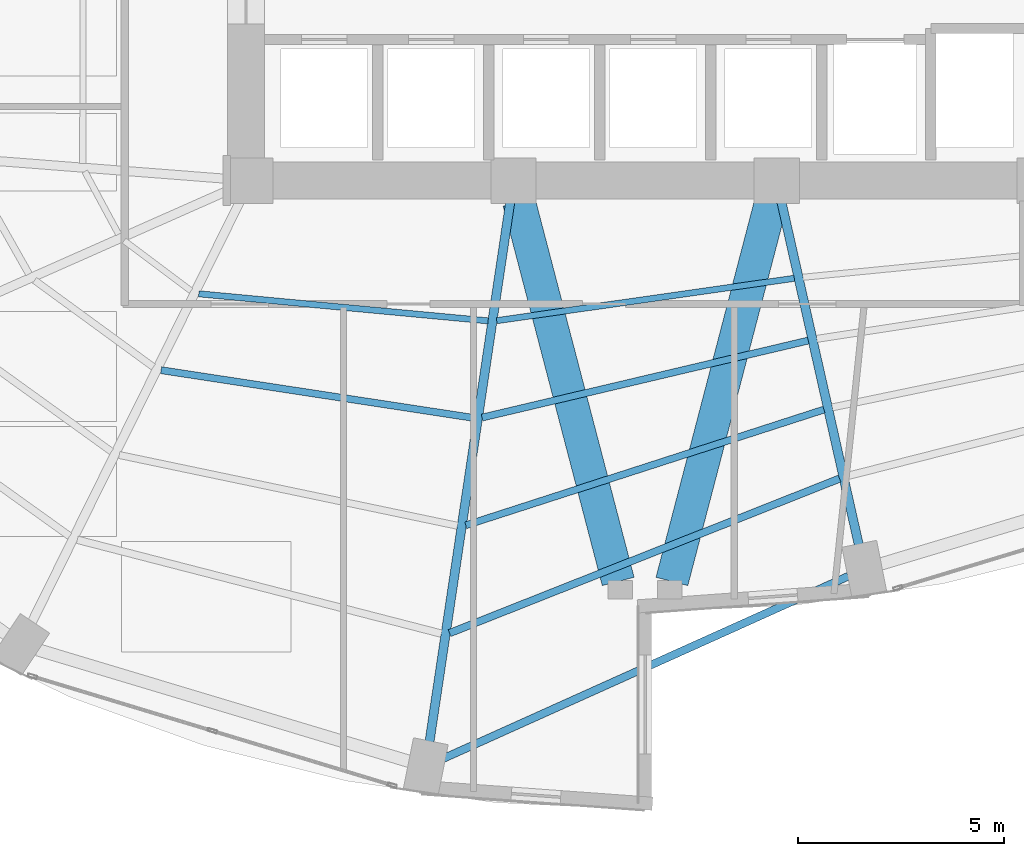
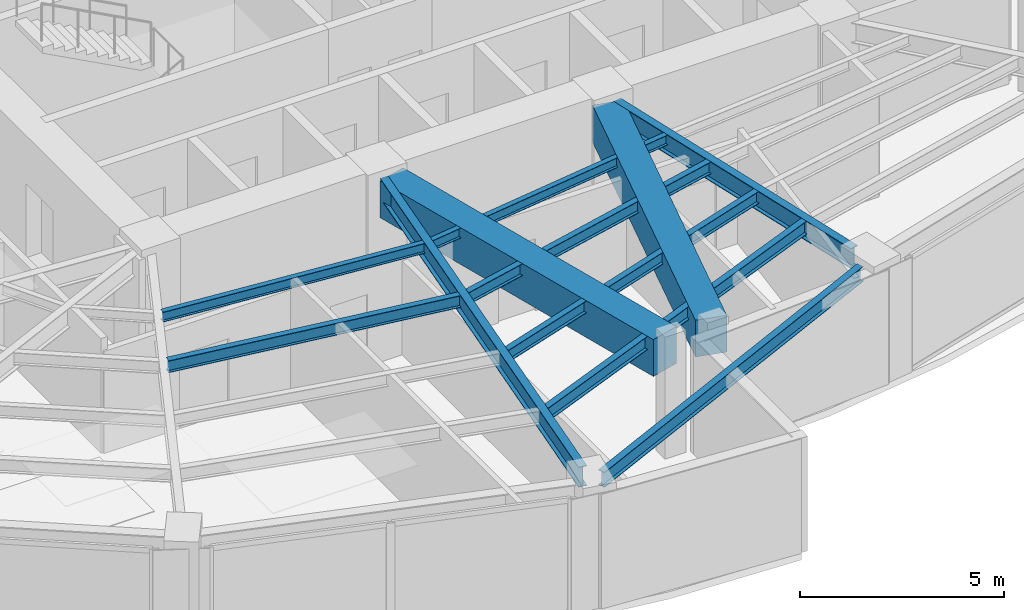
# One storey, part 6 of 24: 11 beams.
"""IFC4 building model written with IfcOpenShell, lengths in metres."""

from ifc_helpers import new_model, si_unit, direction, frame, origin, origin_2d, place, context, subcontext, project, spatial, rectangle, i_section, extrude, material, material_profile, profile_set, type_object, element, save


model = new_model("IFC4")

# Units and contexts
model_context = context("Model", 3, precision=1e-05, world=origin(), true_north=direction((0.0, 1.0)))
body_context = subcontext(model_context, "Body", "Model", "MODEL_VIEW")
ifc_project = project(units=[si_unit("LENGTHUNIT", "METRE"), si_unit("AREAUNIT", "SQUARE_METRE"), si_unit("VOLUMEUNIT", "CUBIC_METRE"), si_unit("PLANEANGLEUNIT", "RADIAN"), si_unit("MASSUNIT", "GRAM", prefix="KILO")], contexts=[model_context])

# Site, building, storey
site_placement = place(None, origin())
site = spatial("IfcSite", under=ifc_project, at=site_placement, CompositionType="ELEMENT")
building_placement = place(site_placement, origin())
building = spatial("IfcBuilding", under=site, at=building_placement, Name="Lazwardi Medical Tower", CompositionType="ELEMENT")
storey_placement = place(building_placement, frame((0.0, 0.0, 61.679931640625)))
storey = spatial("IfcBuildingStorey", under=building, at=storey_placement, Name="L15", CompositionType="ELEMENT", Elevation=61.679931640625)

# Beams
ifc_material_1 = material(Name="Concrete C70/85", Category="concrete")
ifc_material_profile_1 = material_profile(ifc_material_1, rectangle(XDim=0.800048828125, YDim=1.10009765625, at=origin_2d()), Name="RC 800x1100")
ifc_profile_set_1 = profile_set([ifc_material_profile_1], Name="Concrete C70/85")
beam_type_1 = type_object("IfcBeamType", Name="BM-CB-RC1", PredefinedType="LINTEL", material=ifc_profile_set_1)
for number, where, z_axis, x_axis, name in (
    (1, (32.935302734375, 19.88232421875, 2.878173828125), (0.252819877511, -0.967513364009, 0.0), (0.967513364009, 0.252819877511, 0.0), "Core coupling lintel CB-01 PL3 L15"),
    (2, (39.064697265625, 19.88232421875, 2.878173828125), (-0.252819877511, -0.967513364009, 0.0), (0.967513364009, -0.252819877511, 0.0), "Core coupling lintel CB-01 PL4 L15"),
):
    element("IfcBeam", number, at=place(storey_placement, frame(where, z_axis=z_axis, x_axis=x_axis)), inside=storey, type_object=beam_type_1, Name=name, PredefinedType="LINTEL", context=body_context, shape_type="SweptSolid", body=[
        extrude(rectangle(XDim=0.800048828125, YDim=1.10009765625, at=origin_2d()), origin(), (0.0, 0.0, 1.0), 9.538818359375),
    ])
ifc_material_2 = material(Name="Steel S355", Category="steel")
ifc_material_profile_2 = material_profile(ifc_material_2, i_section(OverallWidth=0.219970703125, OverallDepth=0.60009765625, WebThickness=0.011962890625, FlangeThickness=0.01904296875, at=origin_2d()), Name="IPE 600")
ifc_profile_set_2 = profile_set([ifc_material_profile_2], Name="Steel S355")
beam_type_2 = type_object("IfcBeamType", Name="BM-RG-W1", PredefinedType="BEAM", material=ifc_profile_set_2)
beam_1_placement = place(storey_placement, frame((41.203125, 11.521728515625, 3.128173828125), z_axis=(-0.22010079219, 0.975477135189, 0.0), x_axis=(-0.975477135189, -0.22010079219, 0.0)))
element("IfcBeam", 3, at=beam_1_placement, inside=storey, type_object=beam_type_2, Name="Radial girder RG-02 R01 L15", PredefinedType="BEAM", context=body_context, shape_type="SweptSolid", body=[
    extrude(i_section(OverallWidth=0.219970703125, OverallDepth=0.60009765625, WebThickness=0.011962890625, FlangeThickness=0.01904296875, at=origin_2d()), origin(), (0.0, 0.0, 1.0), 8.56640625),
])
beam_2_placement = place(storey_placement, frame((30.7548828125, 6.7294921875, 3.128173828125), z_axis=(0.147944218183, 0.98899570692, 0.0), x_axis=(-0.98899570692, 0.147944218183, 0.0)))
element("IfcBeam", 4, at=beam_2_placement, inside=storey, type_object=beam_type_2, Name="Radial girder RG-02 R16 L15", PredefinedType="BEAM", context=body_context, shape_type="SweptSolid", body=[
    extrude(i_section(OverallWidth=0.219970703125, OverallDepth=0.60009765625, WebThickness=0.011962890625, FlangeThickness=0.01904296875, at=origin_2d()), origin(), (0.0, 0.0, 1.0), 13.28759765625),
])
ifc_material_profile_3 = material_profile(ifc_material_2, i_section(OverallWidth=0.179931640625, OverallDepth=0.39990234375, WebThickness=0.008544921875, FlangeThickness=0.013427734375, at=origin_2d()), Name="IPE 400")
ifc_profile_set_3 = profile_set([ifc_material_profile_3], Name="Steel S355")
beam_type_3 = type_object("IfcBeamType", Name="BM-SJ-01", PredefinedType="JOIST", material=ifc_profile_set_3)
beam_3_placement = place(storey_placement, frame((31.245849609375, 9.396484375, 3.22802734375), z_axis=(0.929663713752, 0.368409255222, 0.0), x_axis=(-0.368409255222, 0.929663713752, 0.0)))
element("IfcBeam", 5, at=beam_3_placement, inside=storey, type_object=beam_type_3, Name="Secondary joist SJ-01 R1 B16 L15", PredefinedType="JOIST", context=body_context, shape_type="SweptSolid", body=[
    extrude(i_section(OverallWidth=0.179931640625, OverallDepth=0.39990234375, WebThickness=0.008544921875, FlangeThickness=0.013427734375, at=origin_2d()), origin(), (0.0, 0.0, 1.0), 10.2001953125),
])
ifc_material_profile_4 = material_profile(ifc_material_2, i_section(OverallWidth=0.169921875, OverallDepth=0.360107421875, WebThickness=0.008056640625, FlangeThickness=0.0126953125, at=origin_2d()), Name="IPE 360")
ifc_profile_set_4 = profile_set([ifc_material_profile_4], Name="Steel S355")
beam_type_4 = type_object("IfcBeamType", Name="BM-SJ-02", PredefinedType="JOIST", material=ifc_profile_set_4)
beam_4_placement = place(storey_placement, frame((31.64111328125, 12.018310546875, 3.248046875), z_axis=(0.951558895485, 0.307466532199, 0.0), x_axis=(-0.307466532199, 0.951558895485, 0.0)))
element("IfcBeam", 6, at=beam_4_placement, inside=storey, type_object=beam_type_4, Name="Secondary joist SJ-02 R2 B16 L15", PredefinedType="JOIST", context=body_context, shape_type="SweptSolid", body=[
    extrude(i_section(OverallWidth=0.169921875, OverallDepth=0.360107421875, WebThickness=0.008056640625, FlangeThickness=0.0126953125, at=origin_2d()), origin(), (0.0, 0.0, 1.0), 9.1513671875),
])
beam_5_placement = place(storey_placement, frame((24.23193359375, 15.790771484375, 3.248046875), z_axis=(0.988535611365, -0.150987897074, 0.0), x_axis=(0.150987897074, 0.988535611365, 0.0)))
element("IfcBeam", 7, at=beam_5_placement, inside=storey, type_object=beam_type_4, Name="Secondary joist SJ-02 R3 B15 L15", PredefinedType="JOIST", context=body_context, shape_type="SweptSolid", body=[
    extrude(i_section(OverallWidth=0.169921875, OverallDepth=0.360107421875, WebThickness=0.008056640625, FlangeThickness=0.0126953125, at=origin_2d()), origin(), (0.0, 0.0, 1.0), 7.68701171875),
])
beam_6_placement = place(storey_placement, frame((32.03662109375, 14.638427734375, 3.248046875), z_axis=(0.973240904247, 0.229787167397, 0.0), x_axis=(-0.229787167397, 0.973240904247, 0.0)))
element("IfcBeam", 8, at=beam_6_placement, inside=storey, type_object=beam_type_4, Name="Secondary joist SJ-02 R3 B16 L15", PredefinedType="JOIST", context=body_context, shape_type="SweptSolid", body=[
    extrude(i_section(OverallWidth=0.169921875, OverallDepth=0.360107421875, WebThickness=0.008056640625, FlangeThickness=0.0126953125, at=origin_2d()), origin(), (0.0, 0.0, 1.0), 8.151123046875),
])
ifc_material_profile_5 = material_profile(ifc_material_2, i_section(OverallWidth=0.14990234375, OverallDepth=0.300048828125, WebThickness=0.007080078125, FlangeThickness=0.0107421875, at=origin_2d()), Name="IPE 300")
ifc_profile_set_5 = profile_set([ifc_material_profile_5], Name="Steel S355")
beam_type_5 = type_object("IfcBeamType", Name="BM-SJ-03", PredefinedType="JOIST", material=ifc_profile_set_5)
beam_7_placement = place(storey_placement, frame((25.148193359375, 17.64794921875, 3.278076171875), z_axis=(0.995649263748, -0.093180167407, 0.0), x_axis=(0.093180167407, 0.995649263748, 0.0)))
element("IfcBeam", 9, at=beam_7_placement, inside=storey, type_object=beam_type_5, Name="Secondary joist SJ-03 R4 B15 L15", PredefinedType="JOIST", context=body_context, shape_type="SweptSolid", body=[
    extrude(i_section(OverallWidth=0.14990234375, OverallDepth=0.300048828125, WebThickness=0.007080078125, FlangeThickness=0.0107421875, at=origin_2d()), origin(), (0.0, 0.0, 1.0), 7.06640625),
])
beam_8_placement = place(storey_placement, frame((32.392333984375, 16.99462890625, 3.278076171875), z_axis=(0.99001552228, 0.140958382672, 0.0), x_axis=(-0.140958382672, 0.99001552228, 0.0)))
element("IfcBeam", 10, at=beam_8_placement, inside=storey, type_object=beam_type_5, Name="Secondary joist SJ-03 R4 B16 L15", PredefinedType="JOIST", context=body_context, shape_type="SweptSolid", body=[
    extrude(i_section(OverallWidth=0.14990234375, OverallDepth=0.300048828125, WebThickness=0.007080078125, FlangeThickness=0.0107421875, at=origin_2d()), origin(), (0.0, 0.0, 1.0), 7.30908203125),
])
ifc_material_profile_6 = material_profile(ifc_material_2, i_section(OverallWidth=0.18994140625, OverallDepth=0.449951171875, WebThickness=0.009521484375, FlangeThickness=0.0146484375, at=origin_2d()), Name="IPE 450")
ifc_profile_set_6 = profile_set([ifc_material_profile_6], Name="Steel S355")
beam_type_6 = type_object("IfcBeamType", Name="BM-SP-01", PredefinedType="SPANDREL", material=ifc_profile_set_6)
beam_9_placement = place(storey_placement, frame((31.05224609375, 6.328369140625, 3.203125), z_axis=(0.91184908894, 0.410525564368, 0.0), x_axis=(-0.410525564368, 0.91184908894, 0.0)))
element("IfcBeam", 11, at=beam_9_placement, inside=storey, type_object=beam_type_6, Name="Spandrel beam SP-01 B16 L15", PredefinedType="SPANDREL", context=body_context, shape_type="SweptSolid", body=[
    extrude(i_section(OverallWidth=0.18994140625, OverallDepth=0.449951171875, WebThickness=0.009521484375, FlangeThickness=0.0146484375, at=origin_2d()), origin(), (0.0, 0.0, 1.0), 10.85205078125),
])

save(model, "model.ifc")
